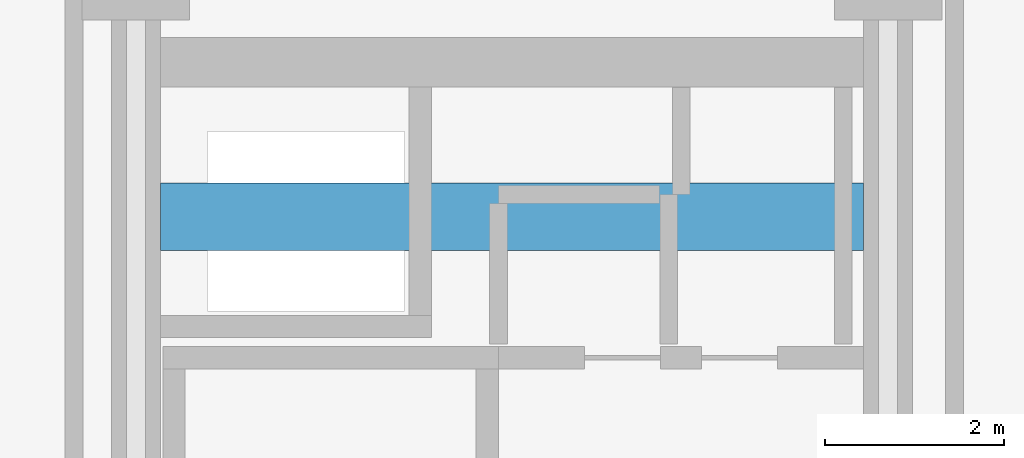
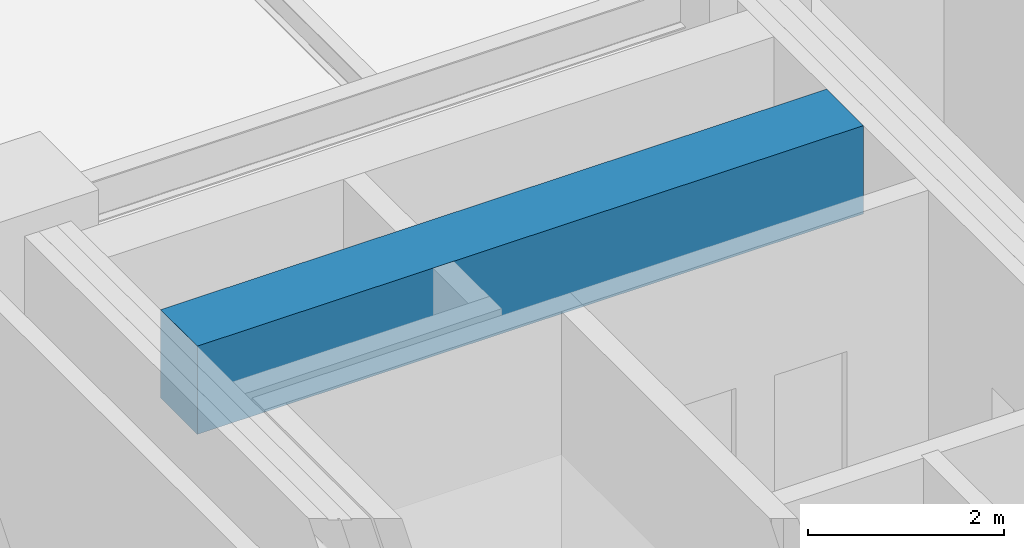
# One storey, part 24 of 38: 1 beam.
"""IFC4 building model written with IfcOpenShell, lengths in metres."""

from ifc_helpers import new_model, si_unit, direction, frame, origin, origin_2d, place, context, subcontext, project, spatial, rectangle, extrude, material, material_profile, profile_set, type_object, element, save


model = new_model("IFC4")

# Units and contexts
model_context = context("Model", 3, precision=1e-05, world=origin(), true_north=direction((0.0, 1.0)))
body_context = subcontext(model_context, "Body", "Model", "MODEL_VIEW")
ifc_project = project(units=[si_unit("LENGTHUNIT", "METRE"), si_unit("AREAUNIT", "SQUARE_METRE"), si_unit("VOLUMEUNIT", "CUBIC_METRE"), si_unit("PLANEANGLEUNIT", "RADIAN"), si_unit("MASSUNIT", "GRAM", prefix="KILO")], contexts=[model_context])

# Site, building, storey
site_placement = place(None, origin())
site = spatial("IfcSite", under=ifc_project, at=site_placement, CompositionType="ELEMENT")
building_placement = place(site_placement, origin())
building = spatial("IfcBuilding", under=site, at=building_placement, Name="Nerrivon Quay Data Exchange", CompositionType="ELEMENT")
storey_placement = place(building_placement, frame((0.0, 0.0, 96.699951171875)))
storey = spatial("IfcBuildingStorey", under=building, at=storey_placement, Name="L22", CompositionType="ELEMENT", Elevation=96.699951171875)

# Beam
ifc_material = material(Name="Concrete S65 (65 MPa)", Category="concrete")
ifc_material_profile = material_profile(ifc_material, rectangle(XDim=0.75, YDim=1.10009765625, at=origin_2d()), Name="RC-CB-750x1100")
ifc_profile_set = profile_set([ifc_material_profile], Name="Concrete S65 (65 MPa)")
beam_type = type_object("IfcBeamType", Name="BM-CB1-750x1100", PredefinedType="LINTEL", material=ifc_profile_set)
beam_placement = place(storey_placement, frame((8.675048828125, 39.199951171875, 3.275146484375), z_axis=(1.0, 0.0, 0.0), x_axis=(0.0, 1.0, 0.0)))
element("IfcBeam", 1, at=beam_placement, inside=storey, type_object=beam_type, Name="L22 West Core Coupling Beam", PredefinedType="LINTEL", context=body_context, shape_type="SweptSolid", body=[
    extrude(rectangle(XDim=0.75, YDim=1.10009765625, at=origin_2d()), origin(), (0.0, 0.0, 1.0), 7.849853515625),
])

save(model, "model.ifc")
